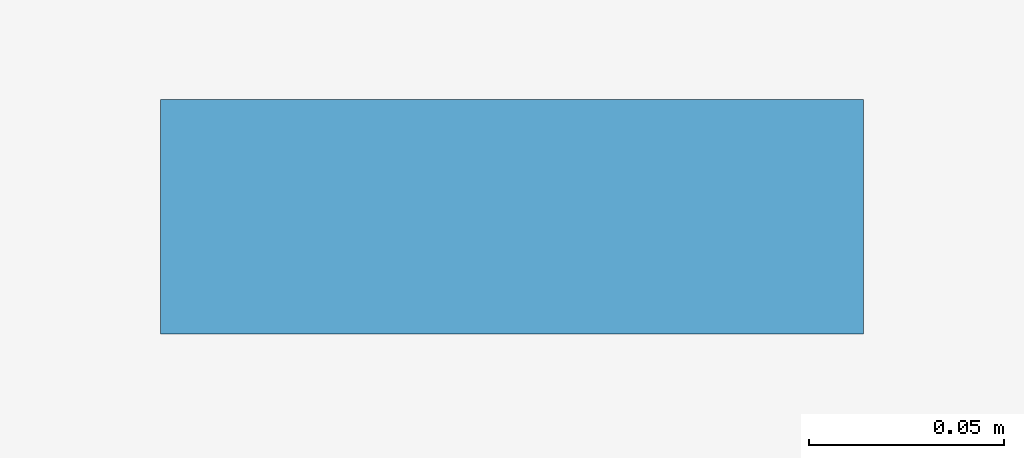
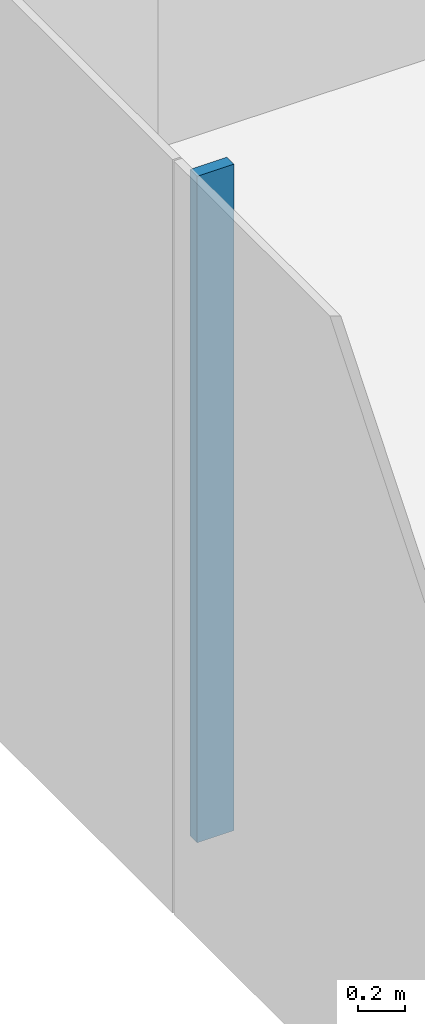
# One storey, part 4 of 22: 1 member, 1 element without a shape of its own.
"""IFC4 building model written with IfcOpenShell, lengths in metres."""

from ifc_helpers import new_model, si_unit, direction, frame, origin, origin_2d, place, context, subcontext, project, spatial, rectangle, extrude, material, layer, layer_set, material_profile, profile_set, type_object, element, aggregate, save


model = new_model("IFC4")

# Units and contexts
model_context = context("Model", 3, precision=1e-05, world=origin(), true_north=direction((0.0, 1.0)))
body_context = subcontext(model_context, "Body", "Model", "MODEL_VIEW")
ifc_project = project(units=[si_unit("LENGTHUNIT", "METRE"), si_unit("AREAUNIT", "SQUARE_METRE"), si_unit("VOLUMEUNIT", "CUBIC_METRE"), si_unit("PLANEANGLEUNIT", "RADIAN"), si_unit("MASSUNIT", "GRAM", prefix="KILO")], contexts=[model_context])

# Site, building, storey
site_placement = place(None, origin())
site = spatial("IfcSite", under=ifc_project, at=site_placement, CompositionType="ELEMENT")
building_placement = place(site_placement, origin())
building = spatial("IfcBuilding", under=site, at=building_placement, Name="Shamsa Quay Exchange Towers", CompositionType="ELEMENT")
storey_placement = place(building_placement, frame((0.0, 0.0, 69.300048828125)))
storey = spatial("IfcBuildingStorey", under=building, at=storey_placement, Name="L15", CompositionType="ELEMENT", Elevation=69.300048828125)

# Curtain wall, member
ifc_material = material(Name="Aluminium EN AW-6063 T6, black anodised", Category="aluminium")
ifc_layer = layer(ifc_material, 0.280029296875)
ifc_layer_set = layer_set([ifc_layer], Name="CW-1 UNITISED VISION GLASS")
curtain_wall_type = type_object("IfcCurtainWallType", Name="CW-1 UNITISED VISION GLASS", PredefinedType="NOTDEFINED", material=ifc_layer_set)
curtain_wall_placement = place(storey_placement, origin())
curtain_wall = element("IfcCurtainWall", 1, at=curtain_wall_placement, inside=storey, type_object=curtain_wall_type, Name="CW1 T1-END-U- L15", PredefinedType="NOTDEFINED")
ifc_material_profile = material_profile(ifc_material, rectangle(XDim=0.179931640625, YDim=0.06005859375, at=origin_2d()), Name="MU60x180")
ifc_profile_set = profile_set([ifc_material_profile], Name="Aluminium EN AW-6063 T6, black anodised")
member_type = type_object("IfcMemberType", Name="CW1 MULLION 60x180", PredefinedType="MULLION", material=ifc_profile_set)
member_placement = place(storey_placement, frame((-62.85009765625, 2.25, 0.0)))
member = element("IfcMember", 2, at=member_placement, type_object=member_type, Name="CW1 mullion", PredefinedType="MULLION", context=body_context, shape_type="SweptSolid", body=[
    extrude(rectangle(XDim=0.179931640625, YDim=0.06005859375, at=origin_2d()), origin(), (0.0, 0.0, 1.0), 3.449951171875),
])
aggregate(curtain_wall, [member])

save(model, "model.ifc")
